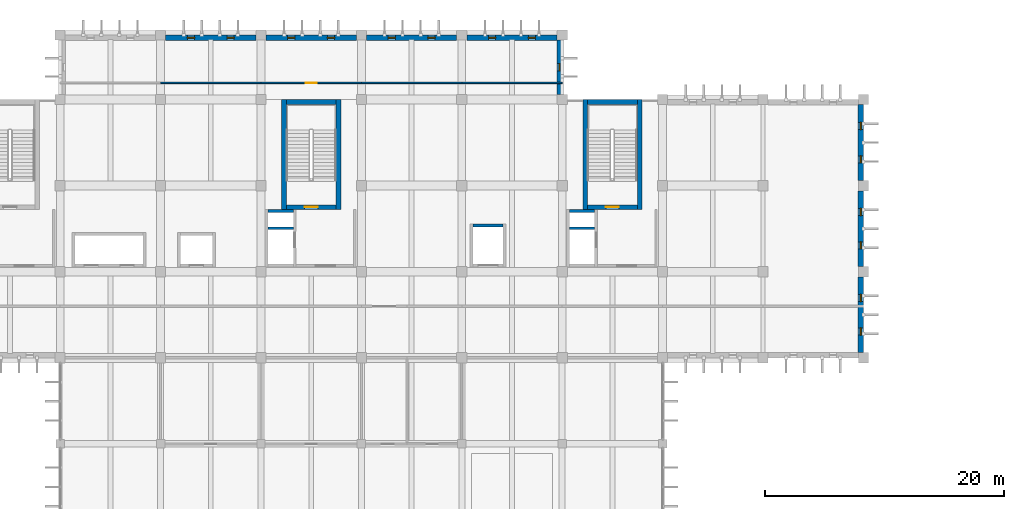
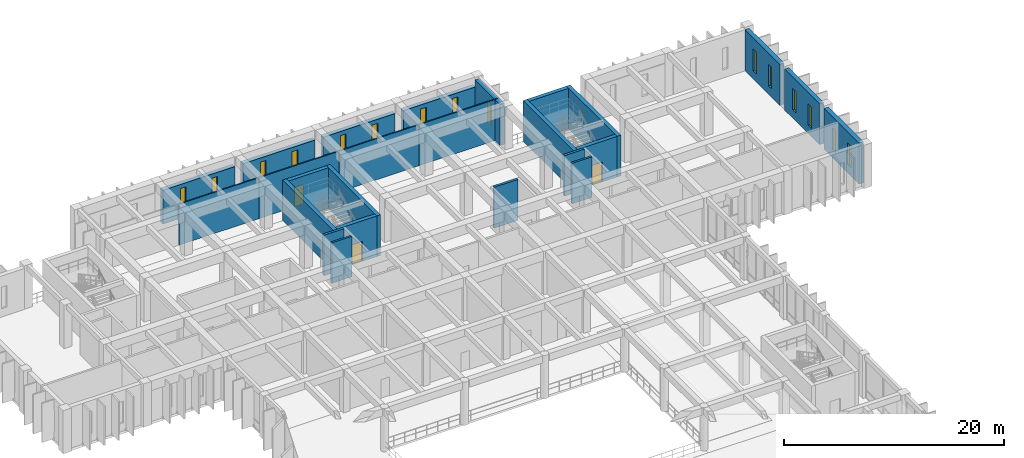
# One storey, part 36 of 51: 25 walls, 15 windows, 3 doors, 18 openings.
"""IFC4 building model written with IfcOpenShell, lengths in metres."""

from ifc_helpers import new_model, si_unit, direction, frame, frame_2d, origin, place, context, subcontext, project, spatial, rectangle, extrude, material, layer, layer_set, type_object, element, fill, save


model = new_model("IFC4")

# Units and contexts
model_context = context("Model", 3, precision=1e-05, world=origin(), true_north=direction((0.0, 1.0)))
body_context = subcontext(model_context, "Body", "Model", "MODEL_VIEW")
ifc_project = project(units=[si_unit("LENGTHUNIT", "METRE"), si_unit("AREAUNIT", "SQUARE_METRE"), si_unit("VOLUMEUNIT", "CUBIC_METRE"), si_unit("PLANEANGLEUNIT", "RADIAN"), si_unit("MASSUNIT", "GRAM", prefix="KILO")], contexts=[model_context])

# Site, building, storey
site_placement = place(None, origin())
site = spatial("IfcSite", under=ifc_project, at=site_placement, CompositionType="ELEMENT")
building_placement = place(site_placement, origin())
building = spatial("IfcBuilding", under=site, at=building_placement, Name="Kenerak Square Central Library", CompositionType="ELEMENT")
storey_placement = place(building_placement, frame((0.0, 0.0, 9.60009765625)))
storey = spatial("IfcBuildingStorey", under=building, at=storey_placement, Name="L02", CompositionType="ELEMENT", Elevation=9.60009765625)

# Walls
ifc_material_1 = material(Name="Concrete C40/50", Category="concrete")
ifc_layer_1 = layer(ifc_material_1, 0.39990234375)
ifc_layer_set_1 = layer_set([ifc_layer_1], Name="Concrete C40/50")
wall_type_1 = type_object("IfcWallType", Name="Core Shear Wall CW-400 C40/50", PredefinedType="SHEAR", material=ifc_layer_set_1)
for number, where, z_axis, x_axis, name in (
    (1, (85.52001953125, 101.199951171875, 0.0), (0.0, 0.0, 1.0), (0.0, 1.0, 0.0), "Core Wall CW-C2 L02 West"),
    (2, (90.080078125, 110.39990234375, 0.0), (0.0, 0.0, 1.0), (0.0, -1.0, 0.0), "Core Wall CW-C2 L02 East"),
):
    element("IfcWall", number, at=place(storey_placement, frame(where, z_axis=z_axis, x_axis=x_axis)), inside=storey, type_object=wall_type_1, Name=name, PredefinedType="SHEAR", context=body_context, shape_type="SweptSolid", body=[
        extrude(rectangle(XDim=9.199951171875, YDim=0.39990234375, at=frame_2d((4.60009765625, 0.0))), origin(), (0.0, 0.0, 1.0), 4.5),
    ])

# Wall, opening, door
wall_1_placement = place(storey_placement, frame((89.8798828125, 101.39990234375, 0.0), z_axis=(0.0, 0.0, 1.0), x_axis=(-1.0, 0.0, 0.0)))
wall_1 = element("IfcWall", 3, at=wall_1_placement, inside=storey, type_object=wall_type_1, Name="Core Wall CW-C2 L02 South", PredefinedType="SHEAR", context=body_context, shape_type="SweptSolid", body=[
    extrude(rectangle(XDim=4.159912109375, YDim=0.39990234375, at=frame_2d((2.080078125, 0.0))), origin(), (0.0, 0.0, 1.0), 4.5),
])
opening_1_placement = place(wall_1_placement, frame((1.530029296875, 0.0, 0.0)))
opening_1 = element("IfcOpeningElement", 4, at=opening_1_placement, cuts=wall_1, Name="Opening D-ST1", PredefinedType="OPENING", context=body_context, shape_type="SweptSolid", body=[
    extrude(rectangle(XDim=1.10009765625, YDim=2.199951171875, at=frame_2d((0.550048828125, 1.10009765625))), frame((0.0, 0.2099609375, 0.0), z_axis=(0.0, -1.0, 0.0), x_axis=(1.0, 0.0, 0.0)), (0.0, 0.0, 1.0), 0.419921875),
])
ifc_material_2 = material(Name="Steel S355", Category="steel")
door_type_1 = type_object("IfcDoorType", Name="Protected Stair Fire Door FD-1100x2200 FD60S", OperationType="NOTDEFINED", PredefinedType="DOOR", material=ifc_material_2)
door_1_placement = place(opening_1_placement, frame((1.10009765625, 0.0, 0.0), z_axis=(0.0, 0.0, 1.0), x_axis=(-1.0, 0.0, 0.0)))
door_1 = element("IfcDoor", 5, at=door_1_placement, inside=storey, type_object=door_type_1, Name="Stair Door ST-02 L02", OperationType="SINGLE_SWING_RIGHT", OverallHeight=2.199951171875, OverallWidth=1.10009765625, PredefinedType="DOOR", context=body_context, shape_type="SweptSolid", body=[
    extrude(rectangle(XDim=1.10009765625, YDim=2.199951171875, at=frame_2d((0.550048828125, 1.10009765625))), frame((0.0, 0.02490234375, 0.0), z_axis=(0.0, -1.0, 0.0), x_axis=(1.0, 0.0, 0.0)), (0.0, 0.0, 1.0), 0.050048828125),
])
fill(opening_1, door_1)

# Walls
wall_2_placement = place(storey_placement, frame((85.719970703125, 110.199951171875, 0.0), z_axis=(0.0, 0.0, 1.0), x_axis=(1.0, 0.0, 0.0)))
element("IfcWall", 6, at=wall_2_placement, inside=storey, type_object=wall_type_1, Name="Core Wall CW-C2 L02 North", PredefinedType="SHEAR", context=body_context, shape_type="SweptSolid", body=[
    extrude(rectangle(XDim=4.159912109375, YDim=0.39990234375, at=frame_2d((2.080078125, 0.0))), origin(), (0.0, 0.0, 1.0), 4.5),
])
for number, where, z_axis, x_axis, name in (
    (7, (110.719970703125, 101.199951171875, 0.0), (0.0, 0.0, 1.0), (0.0, 1.0, 0.0), "Core Wall CW-C3 L02 West"),
    (8, (115.280029296875, 110.39990234375, 0.0), (0.0, 0.0, 1.0), (0.0, -1.0, 0.0), "Core Wall CW-C3 L02 East"),
):
    element("IfcWall", number, at=place(storey_placement, frame(where, z_axis=z_axis, x_axis=x_axis)), inside=storey, type_object=wall_type_1, Name=name, PredefinedType="SHEAR", context=body_context, shape_type="SweptSolid", body=[
        extrude(rectangle(XDim=9.199951171875, YDim=0.39990234375, at=frame_2d((4.60009765625, 0.0))), origin(), (0.0, 0.0, 1.0), 4.5),
    ])

# Wall, opening, door
wall_3_placement = place(storey_placement, frame((115.080078125, 101.39990234375, 0.0), z_axis=(0.0, 0.0, 1.0), x_axis=(-1.0, 0.0, 0.0)))
wall_3 = element("IfcWall", 9, at=wall_3_placement, inside=storey, type_object=wall_type_1, Name="Core Wall CW-C3 L02 South", PredefinedType="SHEAR", context=body_context, shape_type="SweptSolid", body=[
    extrude(rectangle(XDim=4.16015625, YDim=0.39990234375, at=frame_2d((2.080078125, 0.0))), origin(), (0.0, 0.0, 1.0), 4.5),
])
opening_2_placement = place(wall_3_placement, frame((1.530029296875, 0.0, 0.0)))
opening_2 = element("IfcOpeningElement", 10, at=opening_2_placement, cuts=wall_3, Name="Opening D-ST1", PredefinedType="OPENING", context=body_context, shape_type="SweptSolid", body=[
    extrude(rectangle(XDim=1.10009765625, YDim=2.199951171875, at=frame_2d((0.550048828125, 1.10009765625))), frame((0.0, 0.2099609375, 0.0), z_axis=(0.0, -1.0, 0.0), x_axis=(1.0, 0.0, 0.0)), (0.0, 0.0, 1.0), 0.419921875),
])
door_2_placement = place(opening_2_placement, frame((1.10009765625, 0.0, 0.0), z_axis=(0.0, 0.0, 1.0), x_axis=(-1.0, 0.0, 0.0)))
door_2 = element("IfcDoor", 11, at=door_2_placement, inside=storey, type_object=door_type_1, Name="Stair Door ST-03 L02", OperationType="SINGLE_SWING_LEFT", OverallHeight=2.199951171875, OverallWidth=1.10009765625, PredefinedType="DOOR", context=body_context, shape_type="SweptSolid", body=[
    extrude(rectangle(XDim=1.10009765625, YDim=2.199951171875, at=frame_2d((0.550048828125, 1.10009765625))), frame((0.0, 0.02490234375, 0.0), z_axis=(0.0, -1.0, 0.0), x_axis=(1.0, 0.0, 0.0)), (0.0, 0.0, 1.0), 0.050048828125),
])
fill(opening_2, door_2)

# Walls
wall_4_placement = place(storey_placement, frame((110.919921875, 110.199951171875, 0.0), z_axis=(0.0, 0.0, 1.0), x_axis=(1.0, 0.0, 0.0)))
element("IfcWall", 12, at=wall_4_placement, inside=storey, type_object=wall_type_1, Name="Core Wall CW-C3 L02 North", PredefinedType="SHEAR", context=body_context, shape_type="SweptSolid", body=[
    extrude(rectangle(XDim=4.16015625, YDim=0.39990234375, at=frame_2d((2.080078125, 0.0))), origin(), (0.0, 0.0, 1.0), 4.5),
])
ifc_material_3 = material(Name="Acoustic gypsum plasterboard on steel studs", Category="steel")
ifc_layer_2 = layer(ifc_material_3, 0.1201171875)
ifc_layer_set_2 = layer_set([ifc_layer_2], Name="Acoustic gypsum plasterboard on steel studs")
wall_type_2 = type_object("IfcWallType", Name="Lightweight Drywall Partition IW-120", PredefinedType="PARTITIONING", material=ifc_layer_set_2)
wall_5_placement = place(storey_placement, frame((108.800048828125, 111.800048828125, 0.0), z_axis=(0.0, 0.0, 1.0), x_axis=(-1.0, 0.0, 0.0)))
element("IfcWall", 13, at=wall_5_placement, inside=storey, type_object=wall_type_2, Name="Interior Wall IW-L02-07-S1-B1", PredefinedType="PARTITIONING", context=body_context, shape_type="SweptSolid", body=[
    extrude(rectangle(XDim=8.400146484375, YDim=0.1201171875, at=frame_2d((4.2001953125, 0.0))), origin(), (0.0, 0.0, 1.0), 4.5498046875),
])
wall_6_placement = place(storey_placement, frame((100.39990234375, 111.800048828125, 0.0), z_axis=(0.0, 0.0, 1.0), x_axis=(-1.0, 0.0, 0.0)))
element("IfcWall", 14, at=wall_6_placement, inside=storey, type_object=wall_type_2, Name="Interior Wall IW-L02-07-S1-B2", PredefinedType="PARTITIONING", context=body_context, shape_type="SweptSolid", body=[
    extrude(rectangle(XDim=8.39990234375, YDim=0.1201171875, at=frame_2d((4.199951171875, 0.0))), origin(), (0.0, 0.0, 1.0), 4.5498046875),
])

# Wall, opening, door
wall_7_placement = place(storey_placement, frame((92.0, 111.800048828125, 0.0), z_axis=(0.0, 0.0, 1.0), x_axis=(-1.0, 0.0, 0.0)))
wall_7 = element("IfcWall", 15, at=wall_7_placement, inside=storey, type_object=wall_type_2, Name="Interior Wall IW-L02-07-S1-B3", PredefinedType="PARTITIONING", context=body_context, shape_type="SweptSolid", body=[
    extrude(rectangle(XDim=8.39990234375, YDim=0.1201171875, at=frame_2d((4.199951171875, 0.0))), origin(), (0.0, 0.0, 1.0), 4.5498046875),
])
opening_3_placement = place(wall_7_placement, frame((3.72509765625, 0.0, 0.0)))
opening_3 = element("IfcOpeningElement", 16, at=opening_3_placement, cuts=wall_7, Name="Opening ID-02", PredefinedType="OPENING", context=body_context, shape_type="SweptSolid", body=[
    extrude(rectangle(XDim=0.949951171875, YDim=2.14990234375, at=frame_2d((0.47509765625, 1.074951171875))), frame((0.0, 0.070068359375, 0.0), z_axis=(0.0, -1.0, 0.0), x_axis=(1.0, 0.0, 0.0)), (0.0, 0.0, 1.0), 0.14013671875),
])
ifc_material_4 = material(Name="Chengal hardwood timber SG1", Category="wood")
door_type_2 = type_object("IfcDoorType", Name="Study Carrel Timber Door ID-950x2150", OperationType="NOTDEFINED", PredefinedType="DOOR", material=ifc_material_4)
door_3_placement = place(opening_3_placement, origin())
door_3 = element("IfcDoor", 17, at=door_3_placement, inside=storey, type_object=door_type_2, Name="Curatorial and Collection Management Offices Door", OperationType="SINGLE_SWING_LEFT", OverallHeight=2.14990234375, OverallWidth=0.949951171875, PredefinedType="DOOR", context=body_context, shape_type="SweptSolid", body=[
    extrude(rectangle(XDim=0.949951171875, YDim=2.14990234375, at=frame_2d((0.47509765625, 1.074951171875))), frame((0.0, 0.02490234375, 0.0), z_axis=(0.0, -1.0, 0.0), x_axis=(1.0, 0.0, 0.0)), (0.0, 0.0, 1.0), 0.050048828125),
])
fill(opening_3, door_3)

# Walls
wall_8_placement = place(storey_placement, frame((83.60009765625, 111.800048828125, 0.0), z_axis=(0.0, 0.0, 1.0), x_axis=(-1.0, 0.0, 0.0)))
element("IfcWall", 18, at=wall_8_placement, inside=storey, type_object=wall_type_2, Name="Interior Wall IW-L02-07-S1-B4", PredefinedType="PARTITIONING", context=body_context, shape_type="SweptSolid", body=[
    extrude(rectangle(XDim=8.400146484375, YDim=0.1201171875, at=frame_2d((4.2001953125, 0.0))), origin(), (0.0, 0.0, 1.0), 4.5498046875),
])
ifc_layer_3 = layer(ifc_material_1, 0.199951171875)
ifc_layer_set_3 = layer_set([ifc_layer_3], Name="Concrete C40/50")
wall_type_3 = type_object("IfcWallType", Name="Lobby Compartment Wall LW-200 C40/50", PredefinedType="SOLIDWALL", material=ifc_layer_set_3)
for number, where, z_axis, x_axis, name in (
    (19, (84.199951171875, 99.64990234375, 0.0), (0.0, 0.0, 1.0), (1.0, 0.0, 0.0), "Riser Divider Wall C2 L02"),
    (20, (109.39990234375, 99.64990234375, 0.0), (0.0, 0.0, 1.0), (1.0, 0.0, 0.0), "Riser Divider Wall C3 L02"),
):
    element("IfcWall", number, at=place(storey_placement, frame(where, z_axis=z_axis, x_axis=x_axis)), inside=storey, type_object=wall_type_3, Name=name, PredefinedType="SOLIDWALL", context=body_context, shape_type="SweptSolid", body=[
        extrude(rectangle(XDim=2.10009765625, YDim=0.199951171875, at=frame_2d((1.050048828125, 0.0))), origin(), (0.0, 0.0, 1.0), 4.5),
    ])

# Wall, openings, windows
ifc_layer_4 = layer(ifc_material_1, 0.449951171875)
ifc_layer_set_4 = layer_set([ifc_layer_4], Name="Concrete C40/50")
wall_type_4 = type_object("IfcWallType", Name="Rare-Books Vault Exterior Wall VW-450 C40/50", PredefinedType="SOLIDWALL", material=ifc_layer_set_4)
wall_9_placement = place(storey_placement, frame((75.625, 115.574951171875, 0.0), z_axis=(0.0, 0.0, 1.0), x_axis=(1.0, 0.0, 0.0)))
wall_9 = element("IfcWall", 21, at=wall_9_placement, inside=storey, type_object=wall_type_4, Name="Exterior Facade Wall L02 0177", PredefinedType="SOLIDWALL", context=body_context, shape_type="SweptSolid", body=[
    extrude(rectangle(XDim=7.550048828125, YDim=0.449951171875, at=frame_2d((3.77490234375, 0.0))), origin(), (0.0, 0.0, 1.0), 3.75),
])
opening_4_placement = place(wall_9_placement, frame((1.81396484375, 0.0, 0.89990234375)))
opening_4 = element("IfcOpeningElement", 22, at=opening_4_placement, cuts=wall_9, Name="Opening W-01", PredefinedType="OPENING", context=body_context, shape_type="SweptSolid", body=[
    extrude(rectangle(XDim=0.60009765625, YDim=2.39990234375, at=frame_2d((0.300048828125, 1.199951171875))), frame((0.0, 0.23486328125, 0.0), z_axis=(0.0, -1.0, 0.0), x_axis=(1.0, 0.0, 0.0)), (0.0, 0.0, 1.0), 0.469970703125),
])
opening_5_placement = place(wall_9_placement, frame((5.135986328125, 0.0, 0.89990234375)))
opening_5 = element("IfcOpeningElement", 23, at=opening_5_placement, cuts=wall_9, Name="Opening W-01", PredefinedType="OPENING", context=body_context, shape_type="SweptSolid", body=[
    extrude(rectangle(XDim=0.60009765625, YDim=2.39990234375, at=frame_2d((0.300048828125, 1.199951171875))), frame((0.0, 0.23486328125, 0.0), z_axis=(0.0, -1.0, 0.0), x_axis=(1.0, 0.0, 0.0)), (0.0, 0.0, 1.0), 0.469970703125),
])
ifc_material_5 = material(Name="Solar-control low-E laminated double glazing", Category="glass")
window_type = type_object("IfcWindowType", Name="UV-Filtered Stack Slot Window W-01 600x2400", PartitioningType="SINGLE_PANEL", PredefinedType="WINDOW", material=ifc_material_5)
window_1_placement = place(opening_4_placement, origin())
window_1 = element("IfcWindow", 24, at=window_1_placement, inside=storey, type_object=window_type, Name="Window W-01 L02 0173", OverallHeight=2.39990234375, OverallWidth=0.60009765625, PartitioningType="SINGLE_PANEL", PredefinedType="WINDOW", context=body_context, shape_type="SweptSolid", body=[
    extrude(rectangle(XDim=0.60009765625, YDim=2.39990234375, at=frame_2d((0.300048828125, 1.199951171875))), frame((0.0, 0.030029296875, 0.0), z_axis=(0.0, -1.0, 0.0), x_axis=(1.0, 0.0, 0.0)), (0.0, 0.0, 1.0), 0.06005859375),
])
fill(opening_4, window_1)
window_2_placement = place(opening_5_placement, origin())
window_2 = element("IfcWindow", 25, at=window_2_placement, inside=storey, type_object=window_type, Name="Window W-01 L02 0174", OverallHeight=2.39990234375, OverallWidth=0.60009765625, PartitioningType="SINGLE_PANEL", PredefinedType="WINDOW", context=body_context, shape_type="SweptSolid", body=[
    extrude(rectangle(XDim=0.60009765625, YDim=2.39990234375, at=frame_2d((0.300048828125, 1.199951171875))), frame((0.0, 0.030029296875, 0.0), z_axis=(0.0, -1.0, 0.0), x_axis=(1.0, 0.0, 0.0)), (0.0, 0.0, 1.0), 0.06005859375),
])
fill(opening_5, window_2)

wall_10_placement = place(storey_placement, frame((84.02490234375, 115.574951171875, 0.0), z_axis=(0.0, 0.0, 1.0), x_axis=(1.0, 0.0, 0.0)))
wall_10 = element("IfcWall", 26, at=wall_10_placement, inside=storey, type_object=wall_type_4, Name="Exterior Facade Wall L02 0178", PredefinedType="SOLIDWALL", context=body_context, shape_type="SweptSolid", body=[
    extrude(rectangle(XDim=7.550048828125, YDim=0.449951171875, at=frame_2d((3.77490234375, 0.0))), origin(), (0.0, 0.0, 1.0), 3.75),
])
opening_6_placement = place(wall_10_placement, frame((1.81396484375, 0.0, 0.89990234375)))
opening_6 = element("IfcOpeningElement", 27, at=opening_6_placement, cuts=wall_10, Name="Opening W-01", PredefinedType="OPENING", context=body_context, shape_type="SweptSolid", body=[
    extrude(rectangle(XDim=0.60009765625, YDim=2.39990234375, at=frame_2d((0.300048828125, 1.199951171875))), frame((0.0, 0.23486328125, 0.0), z_axis=(0.0, -1.0, 0.0), x_axis=(1.0, 0.0, 0.0)), (0.0, 0.0, 1.0), 0.469970703125),
])
opening_7_placement = place(wall_10_placement, frame((5.135986328125, 0.0, 0.89990234375)))
opening_7 = element("IfcOpeningElement", 28, at=opening_7_placement, cuts=wall_10, Name="Opening W-01", PredefinedType="OPENING", context=body_context, shape_type="SweptSolid", body=[
    extrude(rectangle(XDim=0.60009765625, YDim=2.39990234375, at=frame_2d((0.300048828125, 1.199951171875))), frame((0.0, 0.23486328125, 0.0), z_axis=(0.0, -1.0, 0.0), x_axis=(1.0, 0.0, 0.0)), (0.0, 0.0, 1.0), 0.469970703125),
])
window_3_placement = place(opening_6_placement, origin())
window_3 = element("IfcWindow", 29, at=window_3_placement, inside=storey, type_object=window_type, Name="Window W-01 L02 0175", OverallHeight=2.39990234375, OverallWidth=0.60009765625, PartitioningType="SINGLE_PANEL", PredefinedType="WINDOW", context=body_context, shape_type="SweptSolid", body=[
    extrude(rectangle(XDim=0.60009765625, YDim=2.39990234375, at=frame_2d((0.300048828125, 1.199951171875))), frame((0.0, 0.030029296875, 0.0), z_axis=(0.0, -1.0, 0.0), x_axis=(1.0, 0.0, 0.0)), (0.0, 0.0, 1.0), 0.06005859375),
])
fill(opening_6, window_3)
window_4_placement = place(opening_7_placement, origin())
window_4 = element("IfcWindow", 30, at=window_4_placement, inside=storey, type_object=window_type, Name="Window W-01 L02 0176", OverallHeight=2.39990234375, OverallWidth=0.60009765625, PartitioningType="SINGLE_PANEL", PredefinedType="WINDOW", context=body_context, shape_type="SweptSolid", body=[
    extrude(rectangle(XDim=0.60009765625, YDim=2.39990234375, at=frame_2d((0.300048828125, 1.199951171875))), frame((0.0, 0.030029296875, 0.0), z_axis=(0.0, -1.0, 0.0), x_axis=(1.0, 0.0, 0.0)), (0.0, 0.0, 1.0), 0.06005859375),
])
fill(opening_7, window_4)

wall_11_placement = place(storey_placement, frame((92.425048828125, 115.574951171875, 0.0), z_axis=(0.0, 0.0, 1.0), x_axis=(1.0, 0.0, 0.0)))
wall_11 = element("IfcWall", 31, at=wall_11_placement, inside=storey, type_object=wall_type_4, Name="Exterior Facade Wall L02 0179", PredefinedType="SOLIDWALL", context=body_context, shape_type="SweptSolid", body=[
    extrude(rectangle(XDim=7.550048828125, YDim=0.449951171875, at=frame_2d((3.77490234375, 0.0))), origin(), (0.0, 0.0, 1.0), 3.75),
])
opening_8_placement = place(wall_11_placement, frame((1.81396484375, 0.0, 0.89990234375)))
opening_8 = element("IfcOpeningElement", 32, at=opening_8_placement, cuts=wall_11, Name="Opening W-01", PredefinedType="OPENING", context=body_context, shape_type="SweptSolid", body=[
    extrude(rectangle(XDim=0.60009765625, YDim=2.39990234375, at=frame_2d((0.300048828125, 1.199951171875))), frame((0.0, 0.23486328125, 0.0), z_axis=(0.0, -1.0, 0.0), x_axis=(1.0, 0.0, 0.0)), (0.0, 0.0, 1.0), 0.469970703125),
])
opening_9_placement = place(wall_11_placement, frame((5.135986328125, 0.0, 0.89990234375)))
opening_9 = element("IfcOpeningElement", 33, at=opening_9_placement, cuts=wall_11, Name="Opening W-01", PredefinedType="OPENING", context=body_context, shape_type="SweptSolid", body=[
    extrude(rectangle(XDim=0.60009765625, YDim=2.39990234375, at=frame_2d((0.300048828125, 1.199951171875))), frame((0.0, 0.23486328125, 0.0), z_axis=(0.0, -1.0, 0.0), x_axis=(1.0, 0.0, 0.0)), (0.0, 0.0, 1.0), 0.469970703125),
])
window_5_placement = place(opening_8_placement, origin())
window_5 = element("IfcWindow", 34, at=window_5_placement, inside=storey, type_object=window_type, Name="Window W-01 L02 0177", OverallHeight=2.39990234375, OverallWidth=0.60009765625, PartitioningType="SINGLE_PANEL", PredefinedType="WINDOW", context=body_context, shape_type="SweptSolid", body=[
    extrude(rectangle(XDim=0.60009765625, YDim=2.39990234375, at=frame_2d((0.300048828125, 1.199951171875))), frame((0.0, 0.030029296875, 0.0), z_axis=(0.0, -1.0, 0.0), x_axis=(1.0, 0.0, 0.0)), (0.0, 0.0, 1.0), 0.06005859375),
])
fill(opening_8, window_5)
window_6_placement = place(opening_9_placement, origin())
window_6 = element("IfcWindow", 35, at=window_6_placement, inside=storey, type_object=window_type, Name="Window W-01 L02 0178", OverallHeight=2.39990234375, OverallWidth=0.60009765625, PartitioningType="SINGLE_PANEL", PredefinedType="WINDOW", context=body_context, shape_type="SweptSolid", body=[
    extrude(rectangle(XDim=0.60009765625, YDim=2.39990234375, at=frame_2d((0.300048828125, 1.199951171875))), frame((0.0, 0.030029296875, 0.0), z_axis=(0.0, -1.0, 0.0), x_axis=(1.0, 0.0, 0.0)), (0.0, 0.0, 1.0), 0.06005859375),
])
fill(opening_9, window_6)

wall_12_placement = place(storey_placement, frame((100.824951171875, 115.574951171875, 0.0), z_axis=(0.0, 0.0, 1.0), x_axis=(1.0, 0.0, 0.0)))
wall_12 = element("IfcWall", 36, at=wall_12_placement, inside=storey, type_object=wall_type_4, Name="Exterior Facade Wall L02 0180", PredefinedType="SOLIDWALL", context=body_context, shape_type="SweptSolid", body=[
    extrude(rectangle(XDim=7.550048828125, YDim=0.449951171875, at=frame_2d((3.77490234375, 0.0))), origin(), (0.0, 0.0, 1.0), 3.75),
])
opening_10_placement = place(wall_12_placement, frame((1.81396484375, 0.0, 0.89990234375)))
opening_10 = element("IfcOpeningElement", 37, at=opening_10_placement, cuts=wall_12, Name="Opening W-01", PredefinedType="OPENING", context=body_context, shape_type="SweptSolid", body=[
    extrude(rectangle(XDim=0.60009765625, YDim=2.39990234375, at=frame_2d((0.300048828125, 1.199951171875))), frame((0.0, 0.23486328125, 0.0), z_axis=(0.0, -1.0, 0.0), x_axis=(1.0, 0.0, 0.0)), (0.0, 0.0, 1.0), 0.469970703125),
])
opening_11_placement = place(wall_12_placement, frame((5.135986328125, 0.0, 0.89990234375)))
opening_11 = element("IfcOpeningElement", 38, at=opening_11_placement, cuts=wall_12, Name="Opening W-01", PredefinedType="OPENING", context=body_context, shape_type="SweptSolid", body=[
    extrude(rectangle(XDim=0.60009765625, YDim=2.39990234375, at=frame_2d((0.300048828125, 1.199951171875))), frame((0.0, 0.23486328125, 0.0), z_axis=(0.0, -1.0, 0.0), x_axis=(1.0, 0.0, 0.0)), (0.0, 0.0, 1.0), 0.469970703125),
])
window_7_placement = place(opening_10_placement, origin())
window_7 = element("IfcWindow", 39, at=window_7_placement, inside=storey, type_object=window_type, Name="Window W-01 L02 0179", OverallHeight=2.39990234375, OverallWidth=0.60009765625, PartitioningType="SINGLE_PANEL", PredefinedType="WINDOW", context=body_context, shape_type="SweptSolid", body=[
    extrude(rectangle(XDim=0.60009765625, YDim=2.39990234375, at=frame_2d((0.300048828125, 1.199951171875))), frame((0.0, 0.030029296875, 0.0), z_axis=(0.0, -1.0, 0.0), x_axis=(1.0, 0.0, 0.0)), (0.0, 0.0, 1.0), 0.06005859375),
])
fill(opening_10, window_7)
window_8_placement = place(opening_11_placement, origin())
window_8 = element("IfcWindow", 40, at=window_8_placement, inside=storey, type_object=window_type, Name="Window W-01 L02 0180", OverallHeight=2.39990234375, OverallWidth=0.60009765625, PartitioningType="SINGLE_PANEL", PredefinedType="WINDOW", context=body_context, shape_type="SweptSolid", body=[
    extrude(rectangle(XDim=0.60009765625, YDim=2.39990234375, at=frame_2d((0.300048828125, 1.199951171875))), frame((0.0, 0.030029296875, 0.0), z_axis=(0.0, -1.0, 0.0), x_axis=(1.0, 0.0, 0.0)), (0.0, 0.0, 1.0), 0.06005859375),
])
fill(opening_11, window_8)

# Wall, opening, window
wall_13_placement = place(storey_placement, frame((108.574951171875, 115.375, 0.0), z_axis=(0.0, 0.0, 1.0), x_axis=(0.0, -1.0, 0.0)))
wall_13 = element("IfcWall", 41, at=wall_13_placement, inside=storey, type_object=wall_type_4, Name="Exterior Facade Wall L02 0181", PredefinedType="SOLIDWALL", context=body_context, shape_type="SweptSolid", body=[
    extrude(rectangle(XDim=4.550048828125, YDim=0.449951171875, at=frame_2d((2.27490234375, 0.0))), origin(), (0.0, 0.0, 1.0), 4.5498046875),
])
opening_12_placement = place(wall_13_placement, frame((1.97509765625, 0.0, 0.89990234375)))
opening_12 = element("IfcOpeningElement", 42, at=opening_12_placement, cuts=wall_13, Name="Opening W-01", PredefinedType="OPENING", context=body_context, shape_type="SweptSolid", body=[
    extrude(rectangle(XDim=0.60009765625, YDim=2.39990234375, at=frame_2d((0.300048828125, 1.199951171875))), frame((0.0, 0.23486328125, 0.0), z_axis=(0.0, -1.0, 0.0), x_axis=(1.0, 0.0, 0.0)), (0.0, 0.0, 1.0), 0.469970703125),
])
window_9_placement = place(opening_12_placement, origin())
window_9 = element("IfcWindow", 43, at=window_9_placement, inside=storey, type_object=window_type, Name="Window W-01 L02 0181", OverallHeight=2.39990234375, OverallWidth=0.60009765625, PartitioningType="SINGLE_PANEL", PredefinedType="WINDOW", context=body_context, shape_type="SweptSolid", body=[
    extrude(rectangle(XDim=0.60009765625, YDim=2.39990234375, at=frame_2d((0.300048828125, 1.199951171875))), frame((0.0, 0.030029296875, 0.0), z_axis=(0.0, -1.0, 0.0), x_axis=(1.0, 0.0, 0.0)), (0.0, 0.0, 1.0), 0.06005859375),
])
fill(opening_12, window_9)

# Wall, openings, windows
wall_14_placement = place(storey_placement, frame((133.77490234375, 109.97509765625, 0.0), z_axis=(0.0, 0.0, 1.0), x_axis=(0.0, -1.0, 0.0)))
wall_14 = element("IfcWall", 44, at=wall_14_placement, inside=storey, type_object=wall_type_4, Name="Exterior Facade Wall L02 0184", PredefinedType="SOLIDWALL", context=body_context, shape_type="SweptSolid", body=[
    extrude(rectangle(XDim=6.35009765625, YDim=0.449951171875, at=frame_2d((3.175048828125, 0.0))), origin(), (0.0, 0.0, 1.0), 4.5498046875),
])
opening_13_placement = place(wall_14_placement, frame((1.47802734375, 0.0, 0.89990234375)))
opening_13 = element("IfcOpeningElement", 45, at=opening_13_placement, cuts=wall_14, Name="Opening W-01", PredefinedType="OPENING", context=body_context, shape_type="SweptSolid", body=[
    extrude(rectangle(XDim=0.60009765625, YDim=2.39990234375, at=frame_2d((0.300048828125, 1.199951171875))), frame((0.0, 0.23486328125, 0.0), z_axis=(0.0, -1.0, 0.0), x_axis=(1.0, 0.0, 0.0)), (0.0, 0.0, 1.0), 0.469970703125),
])
opening_14_placement = place(wall_14_placement, frame((4.27197265625, 0.0, 0.89990234375)))
opening_14 = element("IfcOpeningElement", 46, at=opening_14_placement, cuts=wall_14, Name="Opening W-01", PredefinedType="OPENING", context=body_context, shape_type="SweptSolid", body=[
    extrude(rectangle(XDim=0.60009765625, YDim=2.39990234375, at=frame_2d((0.300048828125, 1.199951171875))), frame((0.0, 0.23486328125, 0.0), z_axis=(0.0, -1.0, 0.0), x_axis=(1.0, 0.0, 0.0)), (0.0, 0.0, 1.0), 0.469970703125),
])
window_10_placement = place(opening_13_placement, origin())
window_10 = element("IfcWindow", 47, at=window_10_placement, inside=storey, type_object=window_type, Name="Window W-01 L02 0186", OverallHeight=2.39990234375, OverallWidth=0.60009765625, PartitioningType="SINGLE_PANEL", PredefinedType="WINDOW", context=body_context, shape_type="SweptSolid", body=[
    extrude(rectangle(XDim=0.60009765625, YDim=2.39990234375, at=frame_2d((0.300048828125, 1.199951171875))), frame((0.0, 0.030029296875, 0.0), z_axis=(0.0, -1.0, 0.0), x_axis=(1.0, 0.0, 0.0)), (0.0, 0.0, 1.0), 0.06005859375),
])
fill(opening_13, window_10)
window_11_placement = place(opening_14_placement, origin())
window_11 = element("IfcWindow", 48, at=window_11_placement, inside=storey, type_object=window_type, Name="Window W-01 L02 0187", OverallHeight=2.39990234375, OverallWidth=0.60009765625, PartitioningType="SINGLE_PANEL", PredefinedType="WINDOW", context=body_context, shape_type="SweptSolid", body=[
    extrude(rectangle(XDim=0.60009765625, YDim=2.39990234375, at=frame_2d((0.300048828125, 1.199951171875))), frame((0.0, 0.030029296875, 0.0), z_axis=(0.0, -1.0, 0.0), x_axis=(1.0, 0.0, 0.0)), (0.0, 0.0, 1.0), 0.06005859375),
])
fill(opening_14, window_11)

wall_15_placement = place(storey_placement, frame((133.77490234375, 102.77490234375, 0.0), z_axis=(0.0, 0.0, 1.0), x_axis=(0.0, -1.0, 0.0)))
wall_15 = element("IfcWall", 49, at=wall_15_placement, inside=storey, type_object=wall_type_4, Name="Exterior Facade Wall L02 0185", PredefinedType="SOLIDWALL", context=body_context, shape_type="SweptSolid", body=[
    extrude(rectangle(XDim=6.349853515625, YDim=0.449951171875, at=frame_2d((3.1748046875, 0.0))), origin(), (0.0, 0.0, 1.0), 4.5498046875),
])
opening_15_placement = place(wall_15_placement, frame((1.47802734375, 0.0, 0.89990234375)))
opening_15 = element("IfcOpeningElement", 50, at=opening_15_placement, cuts=wall_15, Name="Opening W-01", PredefinedType="OPENING", context=body_context, shape_type="SweptSolid", body=[
    extrude(rectangle(XDim=0.60009765625, YDim=2.39990234375, at=frame_2d((0.300048828125, 1.199951171875))), frame((0.0, 0.23486328125, 0.0), z_axis=(0.0, -1.0, 0.0), x_axis=(1.0, 0.0, 0.0)), (0.0, 0.0, 1.0), 0.469970703125),
])
opening_16_placement = place(wall_15_placement, frame((4.27197265625, 0.0, 0.89990234375)))
opening_16 = element("IfcOpeningElement", 51, at=opening_16_placement, cuts=wall_15, Name="Opening W-01", PredefinedType="OPENING", context=body_context, shape_type="SweptSolid", body=[
    extrude(rectangle(XDim=0.60009765625, YDim=2.39990234375, at=frame_2d((0.300048828125, 1.199951171875))), frame((0.0, 0.23486328125, 0.0), z_axis=(0.0, -1.0, 0.0), x_axis=(1.0, 0.0, 0.0)), (0.0, 0.0, 1.0), 0.469970703125),
])
window_12_placement = place(opening_15_placement, origin())
window_12 = element("IfcWindow", 52, at=window_12_placement, inside=storey, type_object=window_type, Name="Window W-01 L02 0188", OverallHeight=2.39990234375, OverallWidth=0.60009765625, PartitioningType="SINGLE_PANEL", PredefinedType="WINDOW", context=body_context, shape_type="SweptSolid", body=[
    extrude(rectangle(XDim=0.60009765625, YDim=2.39990234375, at=frame_2d((0.300048828125, 1.199951171875))), frame((0.0, 0.030029296875, 0.0), z_axis=(0.0, -1.0, 0.0), x_axis=(1.0, 0.0, 0.0)), (0.0, 0.0, 1.0), 0.06005859375),
])
fill(opening_15, window_12)
window_13_placement = place(opening_16_placement, origin())
window_13 = element("IfcWindow", 53, at=window_13_placement, inside=storey, type_object=window_type, Name="Window W-01 L02 0189", OverallHeight=2.39990234375, OverallWidth=0.60009765625, PartitioningType="SINGLE_PANEL", PredefinedType="WINDOW", context=body_context, shape_type="SweptSolid", body=[
    extrude(rectangle(XDim=0.60009765625, YDim=2.39990234375, at=frame_2d((0.300048828125, 1.199951171875))), frame((0.0, 0.030029296875, 0.0), z_axis=(0.0, -1.0, 0.0), x_axis=(1.0, 0.0, 0.0)), (0.0, 0.0, 1.0), 0.06005859375),
])
fill(opening_16, window_13)

wall_16_placement = place(storey_placement, frame((133.77490234375, 95.574951171875, 0.0), z_axis=(0.0, 0.0, 1.0), x_axis=(0.0, -1.0, 0.0)))
wall_16 = element("IfcWall", 54, at=wall_16_placement, inside=storey, type_object=wall_type_4, Name="Exterior Facade Wall L02 0186", PredefinedType="SOLIDWALL", context=body_context, shape_type="SweptSolid", body=[
    extrude(rectangle(XDim=6.349853515625, YDim=0.449951171875, at=frame_2d((3.1748046875, 0.0))), origin(), (0.0, 0.0, 1.0), 4.5498046875),
])
opening_17_placement = place(wall_16_placement, frame((1.47802734375, 0.0, 0.89990234375)))
opening_17 = element("IfcOpeningElement", 55, at=opening_17_placement, cuts=wall_16, Name="Opening W-01", PredefinedType="OPENING", context=body_context, shape_type="SweptSolid", body=[
    extrude(rectangle(XDim=0.60009765625, YDim=2.39990234375, at=frame_2d((0.300048828125, 1.199951171875))), frame((0.0, 0.23486328125, 0.0), z_axis=(0.0, -1.0, 0.0), x_axis=(1.0, 0.0, 0.0)), (0.0, 0.0, 1.0), 0.469970703125),
])
opening_18_placement = place(wall_16_placement, frame((4.27197265625, 0.0, 0.89990234375)))
opening_18 = element("IfcOpeningElement", 56, at=opening_18_placement, cuts=wall_16, Name="Opening W-01", PredefinedType="OPENING", context=body_context, shape_type="SweptSolid", body=[
    extrude(rectangle(XDim=0.60009765625, YDim=2.39990234375, at=frame_2d((0.300048828125, 1.199951171875))), frame((0.0, 0.23486328125, 0.0), z_axis=(0.0, -1.0, 0.0), x_axis=(1.0, 0.0, 0.0)), (0.0, 0.0, 1.0), 0.469970703125),
])
window_14_placement = place(opening_17_placement, origin())
window_14 = element("IfcWindow", 57, at=window_14_placement, inside=storey, type_object=window_type, Name="Window W-01 L02 0190", OverallHeight=2.39990234375, OverallWidth=0.60009765625, PartitioningType="SINGLE_PANEL", PredefinedType="WINDOW", context=body_context, shape_type="SweptSolid", body=[
    extrude(rectangle(XDim=0.60009765625, YDim=2.39990234375, at=frame_2d((0.300048828125, 1.199951171875))), frame((0.0, 0.030029296875, 0.0), z_axis=(0.0, -1.0, 0.0), x_axis=(1.0, 0.0, 0.0)), (0.0, 0.0, 1.0), 0.06005859375),
])
fill(opening_17, window_14)
window_15_placement = place(opening_18_placement, origin())
window_15 = element("IfcWindow", 58, at=window_15_placement, inside=storey, type_object=window_type, Name="Window W-01 L02 0191", OverallHeight=2.39990234375, OverallWidth=0.60009765625, PartitioningType="SINGLE_PANEL", PredefinedType="WINDOW", context=body_context, shape_type="SweptSolid", body=[
    extrude(rectangle(XDim=0.60009765625, YDim=2.39990234375, at=frame_2d((0.300048828125, 1.199951171875))), frame((0.0, 0.030029296875, 0.0), z_axis=(0.0, -1.0, 0.0), x_axis=(1.0, 0.0, 0.0)), (0.0, 0.0, 1.0), 0.06005859375),
])
fill(opening_18, window_15)

# Walls
ifc_layer_5 = layer(ifc_material_1, 0.25)
ifc_layer_set_5 = layer_set([ifc_layer_5], Name="Concrete C40/50")
wall_type_5 = type_object("IfcWallType", Name="Shaft Enclosure Wall SW-250 C40/50", PredefinedType="SOLIDWALL", material=ifc_layer_set_5)
for number, where, z_axis, x_axis, name in (
    (59, (84.199951171875, 101.074951171875, 0.0), (0.0, 0.0, 1.0), (1.0, 0.0, 0.0), "Core Wall FLW-C2 L02 North"),
    (60, (109.39990234375, 101.074951171875, 0.0), (0.0, 0.0, 1.0), (1.0, 0.0, 0.0), "Core Wall FLW-C3 L02 North"),
):
    element("IfcWall", number, at=place(storey_placement, frame(where, z_axis=z_axis, x_axis=x_axis)), inside=storey, type_object=wall_type_5, Name=name, PredefinedType="SOLIDWALL", context=body_context, shape_type="SweptSolid", body=[
        extrude(rectangle(XDim=2.10009765625, YDim=0.25, at=frame_2d((1.050048828125, 0.0))), origin(), (0.0, 0.0, 1.0), 4.5),
    ])
wall_17_placement = place(storey_placement, frame((101.35009765625, 99.875, 0.0), z_axis=(0.0, 0.0, 1.0), x_axis=(1.0, 0.0, 0.0)))
element("IfcWall", 61, at=wall_17_placement, inside=storey, type_object=wall_type_5, Name="Core Wall GLSHAFT L02 North", PredefinedType="SOLIDWALL", context=body_context, shape_type="SweptSolid", body=[
    extrude(rectangle(XDim=2.5, YDim=0.25, at=frame_2d((1.25, 0.0))), origin(), (0.0, 0.0, 1.0), 4.5498046875),
])

save(model, "model.ifc")
